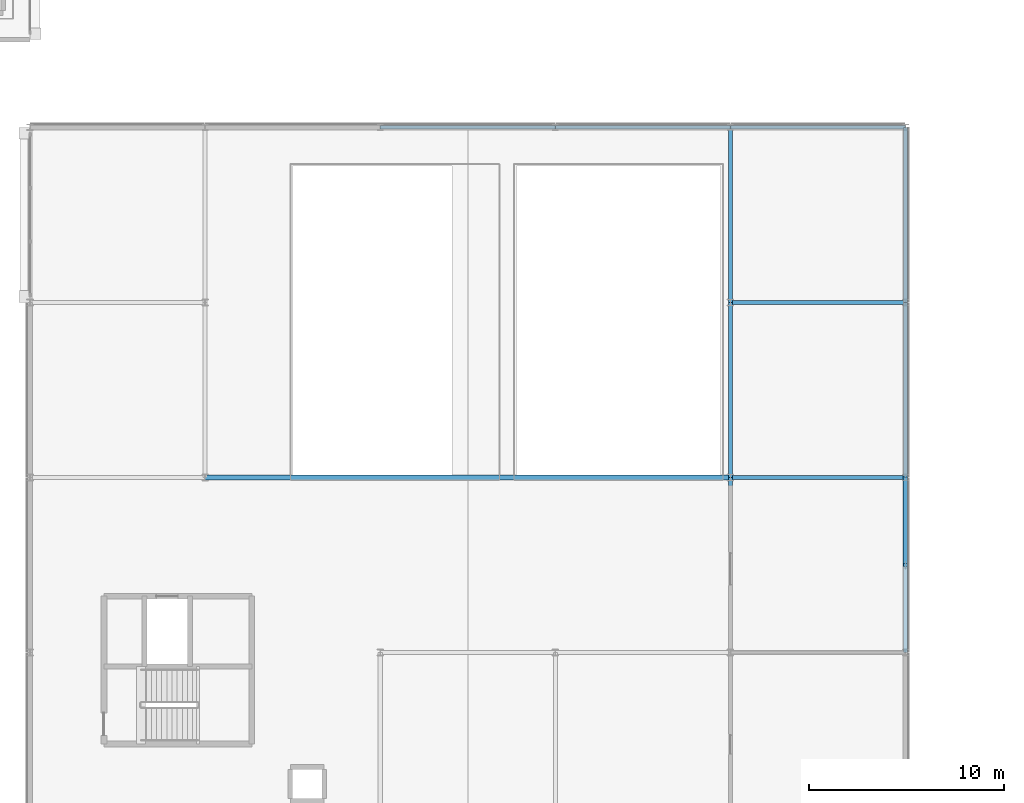
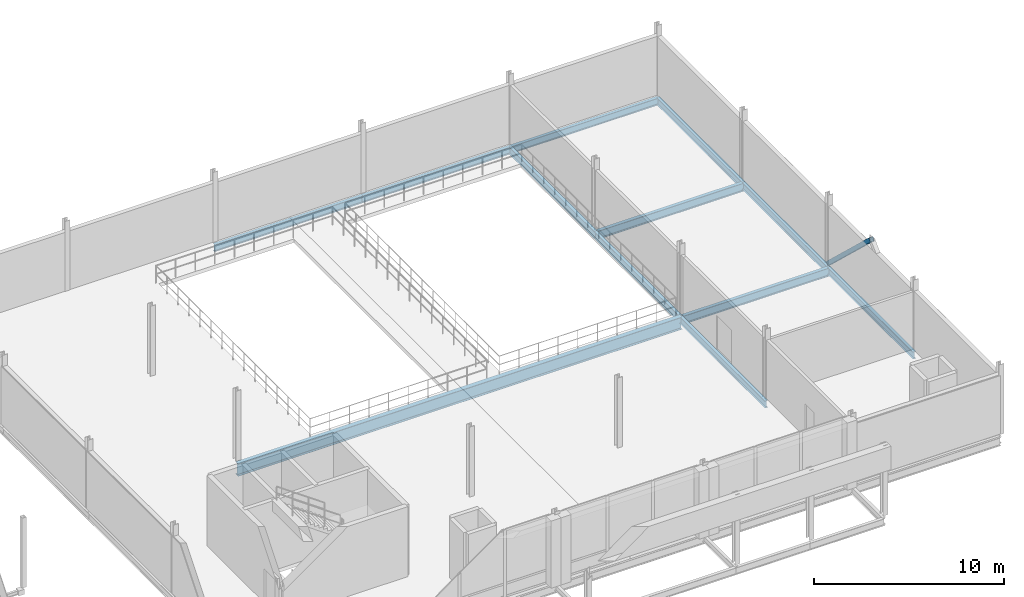
# One storey, part 47 of 130: 12 beams, 1 member.
"""IFC4 building model written with IfcOpenShell, lengths in metres."""

from ifc_helpers import new_model, si_unit, direction, frame, origin, origin_2d, place, context, subcontext, project, spatial, hollow_rectangle, i_section, extrude, material, material_profile, profile_set, type_object, element, save


model = new_model("IFC4")

# Units and contexts
model_context = context("Model", 3, precision=1e-05, world=origin(), true_north=direction((0.0, 1.0)))
body_context = subcontext(model_context, "Body", "Model", "MODEL_VIEW")
ifc_project = project(units=[si_unit("LENGTHUNIT", "METRE"), si_unit("AREAUNIT", "SQUARE_METRE"), si_unit("VOLUMEUNIT", "CUBIC_METRE"), si_unit("PLANEANGLEUNIT", "RADIAN"), si_unit("MASSUNIT", "GRAM", prefix="KILO"), si_unit("THERMODYNAMICTEMPERATUREUNIT", "KELVIN"), si_unit("POWERUNIT", "WATT")], contexts=[model_context])

# Site, building, storey
site_placement = place(None, origin())
site = spatial("IfcSite", under=ifc_project, at=site_placement, CompositionType="ELEMENT")
building_placement = place(site_placement, origin())
building = spatial("IfcBuilding", under=site, at=building_placement, Name="Tallowbark Science Centre", CompositionType="ELEMENT")
storey_placement = place(building_placement, frame((0.0, 0.0, 5.39990234375)))
storey = spatial("IfcBuildingStorey", under=building, at=storey_placement, Name="L01", CompositionType="ELEMENT", Elevation=5.39990234375)

# Beams
ifc_material_1 = material(Name="Structural Steel Grade 300PLUS (300 MPa)", Category="steel")
ifc_material_profile_1 = material_profile(ifc_material_1, i_section(OverallWidth=0.208984375, OverallDepth=0.532958984375, WebThickness=0.01025390625, FlangeThickness=0.015625, FilletRadius=0.013916015625, at=origin_2d()), Name="530UB92.4")
ifc_profile_set_1 = profile_set([ifc_material_profile_1], Name="Structural Steel Grade 300PLUS (300 MPa)")
beam_type_1 = type_object("IfcBeamType", Name="BM-UB530A", PredefinedType="BEAM", material=ifc_profile_set_1)
for number, where, z_axis, x_axis, name in (
    (1, (148.5, 18.0, -0.511474609375), (1.0, 0.0, 0.0), (0.0, 1.0, 0.0), "Primary Girder GRDX-L01-1485-1575-180"),
    (2, (148.5, 27.0, -0.511474609375), (1.0, 0.0, 0.0), (0.0, 1.0, 0.0), "Primary Girder GRDX-L01-1485-1575-270"),
):
    element("IfcBeam", number, at=place(storey_placement, frame(where, z_axis=z_axis, x_axis=x_axis)), inside=storey, type_object=beam_type_1, Name=name, PredefinedType="BEAM", context=body_context, shape_type="SweptSolid", body=[
        extrude(i_section(OverallWidth=0.208984375, OverallDepth=0.532958984375, WebThickness=0.01025390625, FlangeThickness=0.015625, FilletRadius=0.013916015625, at=origin_2d()), origin(), (0.0, 0.0, 1.0), 9.0),
    ])
ifc_material_profile_2 = material_profile(ifc_material_1, i_section(OverallWidth=0.27490234375, OverallDepth=0.7919921875, WebThickness=0.011962890625, FlangeThickness=0.02001953125, FilletRadius=0.013916015625, at=origin_2d()), Name="800WB146")
ifc_profile_set_2 = profile_set([ifc_material_profile_2], Name="Structural Steel Grade 300PLUS (300 MPa)")
beam_type_2 = type_object("IfcBeamType", Name="BM-WB800", PredefinedType="BEAM", material=ifc_profile_set_2)
beam_placement = place(storey_placement, frame((121.5, 18.0, -0.640869140625), z_axis=(1.0, 0.0, 0.0), x_axis=(0.0, 1.0, 0.0)))
element("IfcBeam", 3, at=beam_placement, inside=storey, type_object=beam_type_2, Name="Primary Girder GRDX-L01-1215-1485-180", PredefinedType="BEAM", context=body_context, shape_type="SweptSolid", body=[
    extrude(i_section(OverallWidth=0.27490234375, OverallDepth=0.7919921875, WebThickness=0.011962890625, FlangeThickness=0.02001953125, FilletRadius=0.013916015625, at=origin_2d()), origin(), (0.0, 0.0, 1.0), 27.0),
])

# Member
ifc_material_2 = material(Name="Structural Steel Grade C350L0 (350 MPa)", Category="steel")
ifc_material_profile_3 = material_profile(ifc_material_2, hollow_rectangle(XDim=0.25, YDim=0.25, WallThickness=0.009033203125, at=origin_2d()), Name="250x250x9.0SHS")
ifc_profile_set_3 = profile_set([ifc_material_profile_3], Name="Structural Steel Grade C350L0 (350 MPa)")
member_type = type_object("IfcMemberType", Name="CBF-250SHS", PredefinedType="BRACE", material=ifc_profile_set_3)
member_placement = place(storey_placement, frame((157.5, 18.0, 0.0), z_axis=(0.0, -0.72701315255, 0.686623532964), x_axis=(1.0, 0.0, 0.0)))
element("IfcMember", 4, at=member_placement, inside=storey, type_object=member_type, Name="Concentric Chevron Brace CBF-THT-E1 L01 Right", PredefinedType="BRACE", context=body_context, shape_type="SweptSolid", body=[
    extrude(hollow_rectangle(XDim=0.25, YDim=0.25, WallThickness=0.009033203125, at=origin_2d()), origin(), (0.0, 0.0, 1.0), 6.189697265625),
])

# Beams
ifc_material_profile_4 = material_profile(ifc_material_1, i_section(OverallWidth=0.18994140625, OverallDepth=0.453857421875, WebThickness=0.008544921875, FlangeThickness=0.0126953125, FilletRadius=0.011474609375, at=origin_2d()), Name="460UB67.1")
ifc_profile_set_4 = profile_set([ifc_material_profile_4], Name="Structural Steel Grade 300PLUS (300 MPa)")
beam_type_3 = type_object("IfcBeamType", Name="SPN-UB460", PredefinedType="SPANDREL", material=ifc_profile_set_4)
for number, where, z_axis, x_axis, name in (
    (5, (130.5, 36.0, -0.471923828125), (1.0, 0.0, 0.0), (0.0, 1.0, 0.0), "Primary Girder GRDX-L01-1305-1395-360"),
    (6, (139.5, 36.0, -0.471923828125), (1.0, 0.0, 0.0), (0.0, 1.0, 0.0), "Primary Girder GRDX-L01-1395-1485-360"),
    (7, (148.5, 36.0, -0.471923828125), (1.0, 0.0, 0.0), (0.0, 1.0, 0.0), "Primary Girder GRDX-L01-1485-1575-360"),
    (8, (148.5, 9.0, -0.471923828125), (0.0, 1.0, 0.0), (-1.0, 0.0, 0.0), "Primary Girder GRDY-L01-1485-90-180"),
    (9, (148.5, 18.0, -0.471923828125), (0.0, 1.0, 0.0), (-1.0, 0.0, 0.0), "Primary Girder GRDY-L01-1485-180-270"),
    (10, (148.5, 27.0, -0.471923828125), (0.0, 1.0, 0.0), (-1.0, 0.0, 0.0), "Primary Girder GRDY-L01-1485-270-360"),
    (11, (157.5, 9.0, -0.471923828125), (0.0, 1.0, 0.0), (-1.0, 0.0, 0.0), "Primary Girder GRDY-L01-1575-90-180"),
    (12, (157.5, 18.0, -0.471923828125), (0.0, 1.0, 0.0), (-1.0, 0.0, 0.0), "Primary Girder GRDY-L01-1575-180-270"),
    (13, (157.5, 27.0, -0.471923828125), (0.0, 1.0, 0.0), (-1.0, 0.0, 0.0), "Primary Girder GRDY-L01-1575-270-360"),
):
    element("IfcBeam", number, at=place(storey_placement, frame(where, z_axis=z_axis, x_axis=x_axis)), inside=storey, type_object=beam_type_3, Name=name, PredefinedType="SPANDREL", context=body_context, shape_type="SweptSolid", body=[
        extrude(i_section(OverallWidth=0.18994140625, OverallDepth=0.453857421875, WebThickness=0.008544921875, FlangeThickness=0.0126953125, FilletRadius=0.011474609375, at=origin_2d()), origin(), (0.0, 0.0, 1.0), 9.0),
    ])

save(model, "model.ifc")
